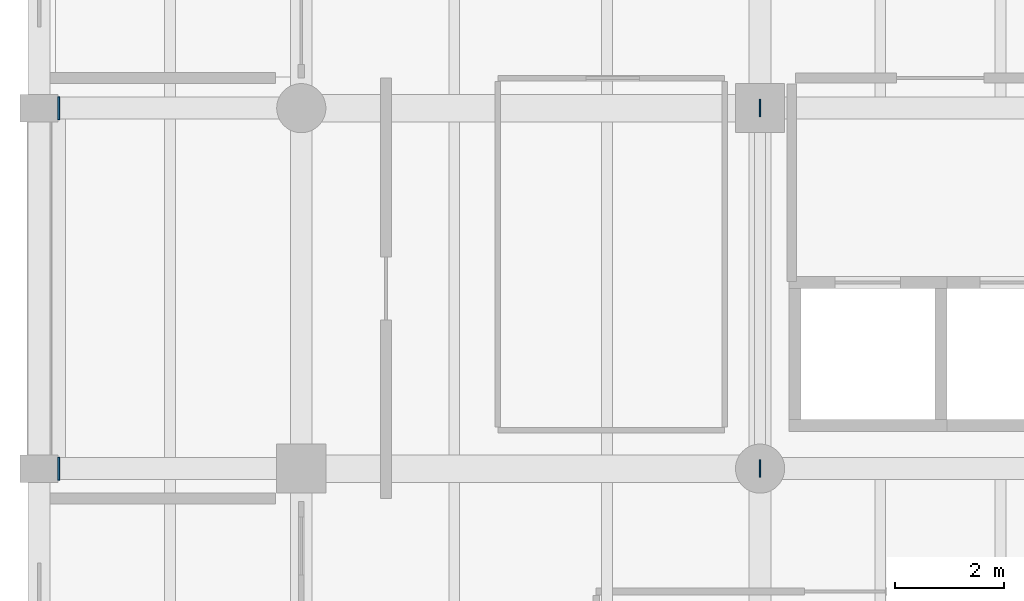
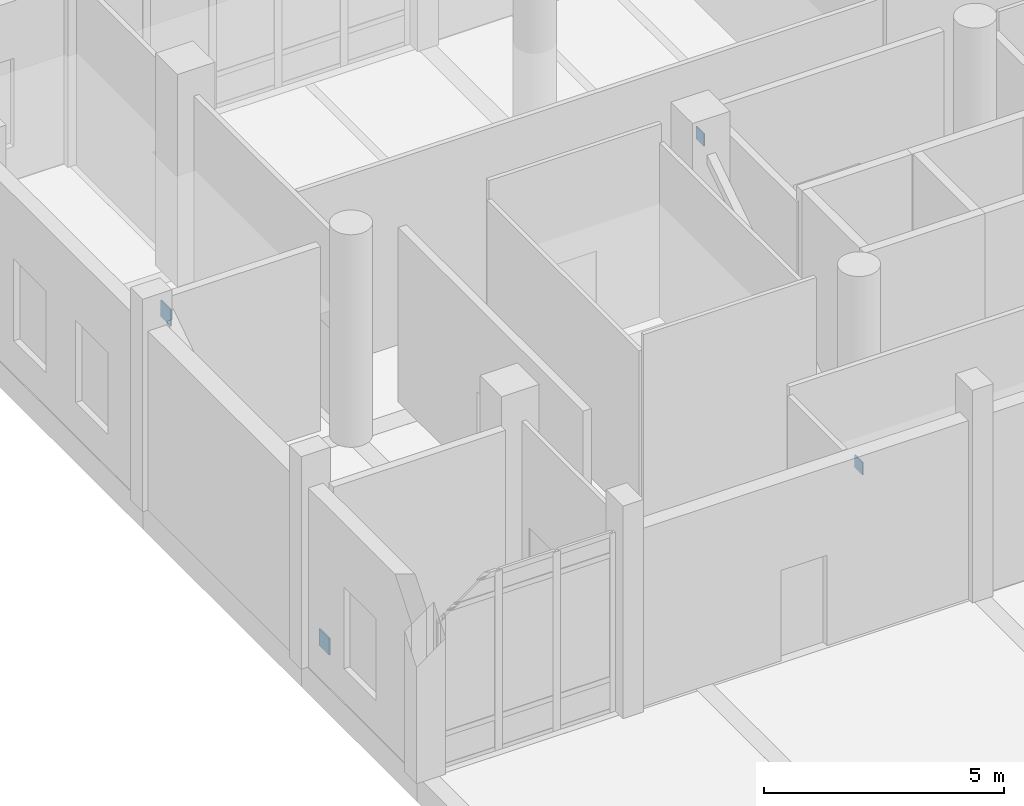
# One storey, part 42 of 72: 4 plates.
"""IFC4 building model written with IfcOpenShell, lengths in metres."""

from ifc_helpers import new_model, si_unit, direction, frame, origin, origin_2d, place, context, subcontext, project, spatial, rectangle, extrude, material, layer, layer_set, type_object, element, save


model = new_model("IFC4")

# Units and contexts
model_context = context("Model", 3, precision=1e-05, world=origin(), true_north=direction((0.0, 1.0)))
body_context = subcontext(model_context, "Body", "Model", "MODEL_VIEW")
ifc_project = project(units=[si_unit("LENGTHUNIT", "METRE"), si_unit("AREAUNIT", "SQUARE_METRE"), si_unit("VOLUMEUNIT", "CUBIC_METRE"), si_unit("PLANEANGLEUNIT", "RADIAN"), si_unit("MASSUNIT", "GRAM", prefix="KILO")], contexts=[model_context])

# Site, building, storey
site_placement = place(None, origin())
site = spatial("IfcSite", under=ifc_project, at=site_placement, CompositionType="ELEMENT")
building_placement = place(site_placement, origin())
building = spatial("IfcBuilding", under=site, at=building_placement, Name="Dornvale Research Institute", CompositionType="ELEMENT")
storey_placement = place(building_placement, origin())
storey = spatial("IfcBuildingStorey", under=building, at=storey_placement, Name="L00", CompositionType="ELEMENT", Elevation=0.0)

# Plates
ifc_material_1 = material(Name="Steel ASTM A572 Grade 50", Category="steel")
ifc_layer_1 = layer(ifc_material_1, 0.02490234375)
ifc_layer_set_1 = layer_set([ifc_layer_1], Name="Steel ASTM A572 Grade 50")
plate_type_1 = type_object("IfcPlateType", Name="SheetPlate_EndCap_25", PredefinedType="SHEET", material=ifc_layer_set_1)
for number, where, z_axis, x_axis, name in (
    (1, (13.199951171875, 103.800048828125, 0.14013671875), (0.0, 0.0, 1.0), (0.0, 1.0, 0.0), "HSS brace node gusset and cap plate ND-025"),
    (2, (13.199951171875, 110.39990234375, 4.48974609375), (0.0, 0.0, 1.0), (0.0, 1.0, 0.0), "HSS brace node gusset and cap plate ND-026"),
):
    element("IfcPlate", number, at=place(storey_placement, frame(where, z_axis=z_axis, x_axis=x_axis)), inside=storey, type_object=plate_type_1, Name=name, PredefinedType="SHEET", context=body_context, shape_type="SweptSolid", body=[
        extrude(rectangle(XDim=0.320068359375, YDim=0.02490234375, at=origin_2d()), origin(), (0.0, 0.0, 1.0), 0.320068359375),
    ])
ifc_material_2 = material(Name="Steel ASTM A572 Grade 50", Category="steel")
ifc_layer_2 = layer(ifc_material_2, 0.031982421875)
ifc_layer_set_2 = layer_set([ifc_layer_2], Name="Steel ASTM A572 Grade 50")
plate_type_2 = type_object("IfcPlateType", Name="SheetPlate_Gusset_32", PredefinedType="SHEET", material=ifc_layer_set_2)
for number, where, z_axis, x_axis, name in (
    (3, (0.360107421875, 103.800048828125, 0.090087890625), (0.0, 0.0, 1.0), (0.0, 1.0, 0.0), "HSS brace node gusset and cap plate ND-015"),
    (4, (0.360107421875, 110.39990234375, 4.43994140625), (0.0, 0.0, 1.0), (0.0, 1.0, 0.0), "HSS brace node gusset and cap plate ND-016"),
):
    element("IfcPlate", number, at=place(storey_placement, frame(where, z_axis=z_axis, x_axis=x_axis)), inside=storey, type_object=plate_type_2, Name=name, PredefinedType="SHEET", context=body_context, shape_type="SweptSolid", body=[
        extrude(rectangle(XDim=0.419921875, YDim=0.031982421875, at=origin_2d()), origin(), (0.0, 0.0, 1.0), 0.419921875),
    ])

save(model, "model.ifc")
